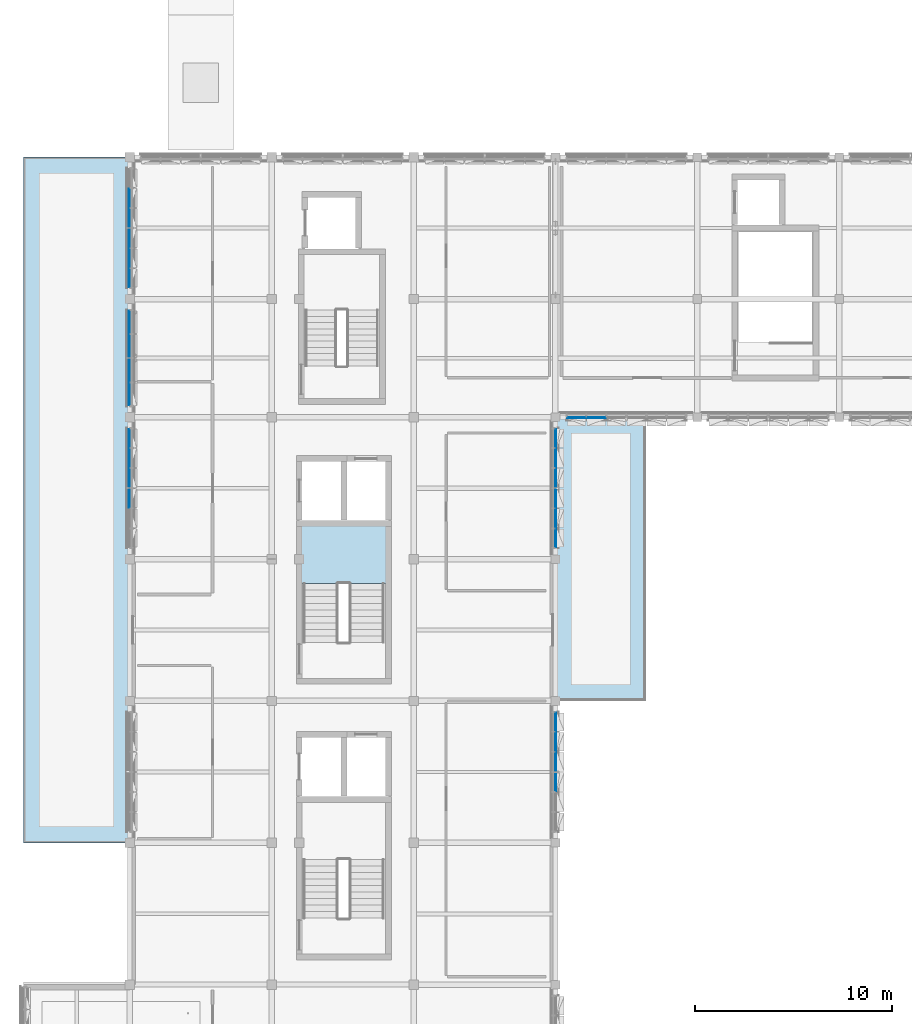
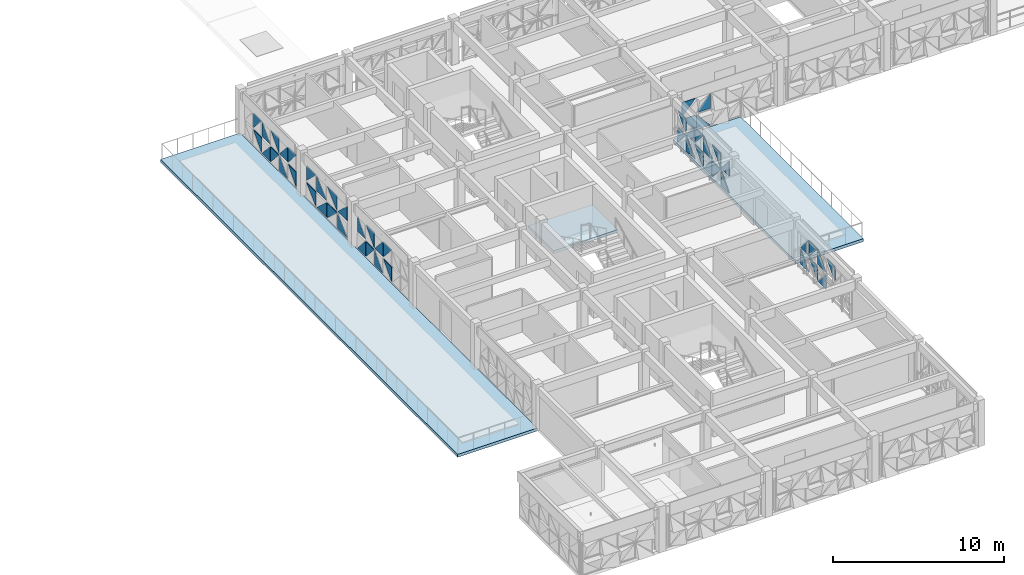
# One storey, part 14 of 35: 49 plates, 3 slabs, 7 elements without a shape of their own.
"""IFC4 building model written with IfcOpenShell, lengths in metres."""

from ifc_helpers import new_model, si_unit, direction, frame, origin, place, context, subcontext, project, spatial, polyline, outline, extrude, material, layer, layer_set, type_object, element, aggregate, save


model = new_model("IFC4")

# Units and contexts
model_context = context("Model", 3, precision=1e-05, world=origin(), true_north=direction((0.0, 1.0)))
body_context = subcontext(model_context, "Body", "Model", "MODEL_VIEW")
ifc_project = project(units=[si_unit("LENGTHUNIT", "METRE"), si_unit("AREAUNIT", "SQUARE_METRE"), si_unit("VOLUMEUNIT", "CUBIC_METRE"), si_unit("PLANEANGLEUNIT", "RADIAN"), si_unit("MASSUNIT", "GRAM", prefix="KILO")], contexts=[model_context])

# Site, building, storey
site_placement = place(None, origin())
site = spatial("IfcSite", under=ifc_project, at=site_placement, CompositionType="ELEMENT")
building_placement = place(site_placement, origin())
building = spatial("IfcBuilding", under=site, at=building_placement, Name="Alvorim Cloister Faculty of Sciences", CompositionType="ELEMENT")
storey_placement = place(building_placement, frame((0.0, 0.0, 22.949951171875)))
storey = spatial("IfcBuildingStorey", under=building, at=storey_placement, Name="L06", CompositionType="ELEMENT", Elevation=22.949951171875)

# Curtain wall, plates
ifc_material_1 = material(Name="Aluminium and Low-E Glass Curtain Wall", Category="aluminium")
curtain_wall_type_1 = type_object("IfcCurtainWallType", Name="CW-TRI-6120x2550", PredefinedType="USERDEFINED", material=ifc_material_1)
curtain_wall_1_placement = place(storey_placement, origin())
curtain_wall_1 = element("IfcCurtainWall", 1, at=curtain_wall_1_placement, inside=storey, type_object=curtain_wall_type_1, Name="L06 Diagonal Cassette Curtain Wall CW-0242", ObjectType="UNITISED CURTAIN WALL", PredefinedType="USERDEFINED")
ifc_material_2 = material(Name="Double Low-E Laminated Glass", Category="glass")
ifc_layer_1 = layer(ifc_material_2, 0.0400390625)
ifc_layer_set_1 = layer_set([ifc_layer_1], Name="Double Low-E Laminated Glass")
plate_type = type_object("IfcPlateType", Name="PN-GLZ-40", PredefinedType="CURTAIN_PANEL", material=ifc_layer_set_1)
plate_1_placement = place(storey_placement, frame((7.175048828125, 38.612548828125, 0.14013671875), z_axis=(0.0, 0.0, 1.0), x_axis=(0.0, 1.0, 0.0)))
plate_1 = element("IfcPlate", 2, at=plate_1_placement, type_object=plate_type, Name="Diagonal Glazed Triangle TRI-TL", PredefinedType="CURTAIN_PANEL", context=body_context, shape_type="SweptSolid", body=[
    extrude(outline(polyline([(0.953125, 1.06494140625), (0.0, 1.06494140625), (0.0, 0.001953125), (0.953125, 1.06494140625)])), frame((0.0, 0.02490234375, 0.0), z_axis=(0.0, -1.0, 0.0), x_axis=(1.0, 0.0, 0.0)), (0.0, 0.0, 1.0), 0.050048828125),
])
plate_2_placement = place(storey_placement, frame((7.175048828125, 38.612548828125, 1.344970703125), z_axis=(0.0, 0.0, 1.0), x_axis=(0.0, 1.0, 0.0)))
plate_2 = element("IfcPlate", 3, at=plate_2_placement, type_object=plate_type, Name="Diagonal Glazed Triangle TRI-TR", PredefinedType="CURTAIN_PANEL", context=body_context, shape_type="SweptSolid", body=[
    extrude(outline(polyline([(0.955078125, 0.001953125), (0.955078125, 1.065185546875), (0.001953125, 1.065185546875), (0.955078125, 0.001953125)])), frame((0.0, 0.02490234375, 0.0), z_axis=(0.0, -1.0, 0.0), x_axis=(1.0, 0.0, 0.0)), (0.0, 0.0, 1.0), 0.050048828125),
])
plate_3_placement = place(storey_placement, frame((7.175048828125, 39.632568359375, 0.14013671875), z_axis=(0.0, 0.0, 1.0), x_axis=(0.0, 1.0, 0.0)))
plate_3 = element("IfcPlate", 4, at=plate_3_placement, type_object=plate_type, Name="Diagonal Glazed Triangle TRI-BR", PredefinedType="CURTAIN_PANEL", context=body_context, shape_type="SweptSolid", body=[
    extrude(outline(polyline([(0.001953125, 0.0), (0.955078125, 0.0), (0.955078125, 1.06298828125), (0.001953125, 0.0)])), frame((0.0, 0.02490234375, 0.0), z_axis=(0.0, -1.0, 0.0), x_axis=(1.0, 0.0, 0.0)), (0.0, 0.0, 1.0), 0.050048828125),
])
plate_4_placement = place(storey_placement, frame((7.175048828125, 39.632568359375, 1.344970703125), z_axis=(0.0, 0.0, 1.0), x_axis=(0.0, 1.0, 0.0)))
plate_4 = element("IfcPlate", 5, at=plate_4_placement, type_object=plate_type, Name="Diagonal Glazed Triangle TRI-BL", PredefinedType="CURTAIN_PANEL", context=body_context, shape_type="SweptSolid", body=[
    extrude(outline(polyline([(0.0, 0.0), (0.953125, 0.0), (0.0, 1.063232421875), (0.0, 0.0)])), frame((0.0, 0.02490234375, 0.0), z_axis=(0.0, -1.0, 0.0), x_axis=(1.0, 0.0, 0.0)), (0.0, 0.0, 1.0), 0.050048828125),
])
plate_5_placement = place(storey_placement, frame((7.175048828125, 40.652587890625, 0.14013671875), z_axis=(0.0, 0.0, 1.0), x_axis=(0.0, 1.0, 0.0)))
plate_5 = element("IfcPlate", 6, at=plate_5_placement, type_object=plate_type, Name="Diagonal Glazed Triangle TRI-TR", PredefinedType="CURTAIN_PANEL", context=body_context, shape_type="SweptSolid", body=[
    extrude(outline(polyline([(0.955078125, 0.001953125), (0.955078125, 1.06494140625), (0.001953125, 1.06494140625), (0.955078125, 0.001953125)])), frame((0.0, 0.02490234375, 0.0), z_axis=(0.0, -1.0, 0.0), x_axis=(1.0, 0.0, 0.0)), (0.0, 0.0, 1.0), 0.050048828125),
])
plate_6_placement = place(storey_placement, frame((7.175048828125, 40.652587890625, 1.344970703125), z_axis=(0.0, 0.0, 1.0), x_axis=(0.0, 1.0, 0.0)))
plate_6 = element("IfcPlate", 7, at=plate_6_placement, type_object=plate_type, Name="Diagonal Glazed Triangle TRI-TL", PredefinedType="CURTAIN_PANEL", context=body_context, shape_type="SweptSolid", body=[
    extrude(outline(polyline([(0.953125, 1.065185546875), (0.0, 1.065185546875), (0.0, 0.001953125), (0.953125, 1.065185546875)])), frame((0.0, 0.02490234375, 0.0), z_axis=(0.0, -1.0, 0.0), x_axis=(1.0, 0.0, 0.0)), (0.0, 0.0, 1.0), 0.050048828125),
])
plate_7_placement = place(storey_placement, frame((7.175048828125, 41.672607421875, 0.14013671875), z_axis=(0.0, 0.0, 1.0), x_axis=(0.0, 1.0, 0.0)))
plate_7 = element("IfcPlate", 8, at=plate_7_placement, type_object=plate_type, Name="Diagonal Glazed Triangle TRI-BL", PredefinedType="CURTAIN_PANEL", context=body_context, shape_type="SweptSolid", body=[
    extrude(outline(polyline([(0.0, 0.0), (0.920654296875, 0.0), (0.0, 1.06298828125), (0.0, 0.0)])), frame((0.0, 0.02490234375, 0.0), z_axis=(0.0, -1.0, 0.0), x_axis=(1.0, 0.0, 0.0)), (0.0, 0.0, 1.0), 0.050048828125),
])
plate_8_placement = place(storey_placement, frame((7.175048828125, 41.672607421875, 1.344970703125), z_axis=(0.0, 0.0, 1.0), x_axis=(0.0, 1.0, 0.0)))
plate_8 = element("IfcPlate", 9, at=plate_8_placement, type_object=plate_type, Name="Diagonal Glazed Triangle TRI-BR", PredefinedType="CURTAIN_PANEL", context=body_context, shape_type="SweptSolid", body=[
    extrude(outline(polyline([(0.001953125, 0.0), (0.922607421875, 0.0), (0.922607421875, 1.063232421875), (0.001953125, 0.0)])), frame((0.0, 0.02490234375, 0.0), z_axis=(0.0, -1.0, 0.0), x_axis=(1.0, 0.0, 0.0)), (0.0, 0.0, 1.0), 0.050048828125),
])
aggregate(curtain_wall_1, [plate_1, plate_2, plate_3, plate_4, plate_5, plate_6, plate_7, plate_8])

curtain_wall_type_2 = type_object("IfcCurtainWallType", Name="CW-TRI-4920x2550", PredefinedType="USERDEFINED", material=ifc_material_1)
curtain_wall_2_placement = place(storey_placement, origin())
curtain_wall_2 = element("IfcCurtainWall", 10, at=curtain_wall_2_placement, inside=storey, type_object=curtain_wall_type_2, Name="L06 Diagonal Cassette Curtain Wall CW-0243", ObjectType="UNITISED CURTAIN WALL", PredefinedType="USERDEFINED")
plate_9_placement = place(storey_placement, frame((7.175048828125, 43.804931640625, 0.14013671875), z_axis=(0.0, 0.0, 1.0), x_axis=(0.0, 1.0, 0.0)))
plate_9 = element("IfcPlate", 11, at=plate_9_placement, type_object=plate_type, Name="Diagonal Glazed Triangle TRI-BR", PredefinedType="CURTAIN_PANEL", context=body_context, shape_type="SweptSolid", body=[
    extrude(outline(polyline([(0.001953125, 0.0), (1.132568359375, 0.0), (1.132568359375, 1.06298828125), (0.001953125, 0.0)])), frame((0.0, 0.02490234375, 0.0), z_axis=(0.0, -1.0, 0.0), x_axis=(1.0, 0.0, 0.0)), (0.0, 0.0, 1.0), 0.050048828125),
])
plate_10_placement = place(storey_placement, frame((7.175048828125, 43.804931640625, 1.344970703125), z_axis=(0.0, 0.0, 1.0), x_axis=(0.0, 1.0, 0.0)))
plate_10 = element("IfcPlate", 12, at=plate_10_placement, type_object=plate_type, Name="Diagonal Glazed Triangle TRI-BL", PredefinedType="CURTAIN_PANEL", context=body_context, shape_type="SweptSolid", body=[
    extrude(outline(polyline([(0.0, 0.0), (1.130615234375, 0.0), (0.0, 1.063232421875), (0.0, 0.0)])), frame((0.0, 0.02490234375, 0.0), z_axis=(0.0, -1.0, 0.0), x_axis=(1.0, 0.0, 0.0)), (0.0, 0.0, 1.0), 0.050048828125),
])
plate_11_placement = place(storey_placement, frame((7.175048828125, 45.00244140625, 0.14013671875), z_axis=(0.0, 0.0, 1.0), x_axis=(0.0, 1.0, 0.0)))
plate_11 = element("IfcPlate", 13, at=plate_11_placement, type_object=plate_type, Name="Diagonal Glazed Triangle TRI-TR", PredefinedType="CURTAIN_PANEL", context=body_context, shape_type="SweptSolid", body=[
    extrude(outline(polyline([(1.1650390625, 0.001953125), (1.1650390625, 1.06494140625), (0.001953125, 1.06494140625), (1.1650390625, 0.001953125)])), frame((0.0, 0.02490234375, 0.0), z_axis=(0.0, -1.0, 0.0), x_axis=(1.0, 0.0, 0.0)), (0.0, 0.0, 1.0), 0.050048828125),
])
plate_12_placement = place(storey_placement, frame((7.175048828125, 45.00244140625, 1.344970703125), z_axis=(0.0, 0.0, 1.0), x_axis=(0.0, 1.0, 0.0)))
plate_12 = element("IfcPlate", 14, at=plate_12_placement, type_object=plate_type, Name="Diagonal Glazed Triangle TRI-TL", PredefinedType="CURTAIN_PANEL", context=body_context, shape_type="SweptSolid", body=[
    extrude(outline(polyline([(1.1630859375, 1.065185546875), (0.0, 1.065185546875), (0.0, 0.001953125), (1.1630859375, 1.065185546875)])), frame((0.0, 0.02490234375, 0.0), z_axis=(0.0, -1.0, 0.0), x_axis=(1.0, 0.0, 0.0)), (0.0, 0.0, 1.0), 0.050048828125),
])
plate_13_placement = place(storey_placement, frame((7.175048828125, 46.232421875, 0.14013671875), z_axis=(0.0, 0.0, 1.0), x_axis=(0.0, 1.0, 0.0)))
plate_13 = element("IfcPlate", 15, at=plate_13_placement, type_object=plate_type, Name="Diagonal Glazed Triangle TRI-BL", PredefinedType="CURTAIN_PANEL", context=body_context, shape_type="SweptSolid", body=[
    extrude(outline(polyline([(0.0, 0.0), (1.1630859375, 0.0), (0.0, 1.06298828125), (0.0, 0.0)])), frame((0.0, 0.02490234375, 0.0), z_axis=(0.0, -1.0, 0.0), x_axis=(1.0, 0.0, 0.0)), (0.0, 0.0, 1.0), 0.050048828125),
])
plate_14_placement = place(storey_placement, frame((7.175048828125, 46.232421875, 1.344970703125), z_axis=(0.0, 0.0, 1.0), x_axis=(0.0, 1.0, 0.0)))
plate_14 = element("IfcPlate", 16, at=plate_14_placement, type_object=plate_type, Name="Diagonal Glazed Triangle TRI-BR", PredefinedType="CURTAIN_PANEL", context=body_context, shape_type="SweptSolid", body=[
    extrude(outline(polyline([(0.001953125, 0.0), (1.1650390625, 0.0), (1.1650390625, 1.063232421875), (0.001953125, 0.0)])), frame((0.0, 0.02490234375, 0.0), z_axis=(0.0, -1.0, 0.0), x_axis=(1.0, 0.0, 0.0)), (0.0, 0.0, 1.0), 0.050048828125),
])
plate_15_placement = place(storey_placement, frame((7.175048828125, 47.46240234375, 0.14013671875), z_axis=(0.0, 0.0, 1.0), x_axis=(0.0, 1.0, 0.0)))
plate_15 = element("IfcPlate", 17, at=plate_15_placement, type_object=plate_type, Name="Diagonal Glazed Triangle TRI-TL", PredefinedType="CURTAIN_PANEL", context=body_context, shape_type="SweptSolid", body=[
    extrude(outline(polyline([(1.130615234375, 1.06494140625), (0.0, 1.06494140625), (0.0, 0.001953125), (1.130615234375, 1.06494140625)])), frame((0.0, 0.02490234375, 0.0), z_axis=(0.0, -1.0, 0.0), x_axis=(1.0, 0.0, 0.0)), (0.0, 0.0, 1.0), 0.050048828125),
])
plate_16_placement = place(storey_placement, frame((7.175048828125, 47.46240234375, 1.344970703125), z_axis=(0.0, 0.0, 1.0), x_axis=(0.0, 1.0, 0.0)))
plate_16 = element("IfcPlate", 18, at=plate_16_placement, type_object=plate_type, Name="Diagonal Glazed Triangle TRI-TR", PredefinedType="CURTAIN_PANEL", context=body_context, shape_type="SweptSolid", body=[
    extrude(outline(polyline([(1.132568359375, 0.001953125), (1.132568359375, 1.065185546875), (0.001953125, 1.065185546875), (1.132568359375, 0.001953125)])), frame((0.0, 0.02490234375, 0.0), z_axis=(0.0, -1.0, 0.0), x_axis=(1.0, 0.0, 0.0)), (0.0, 0.0, 1.0), 0.050048828125),
])
aggregate(curtain_wall_2, [plate_9, plate_10, plate_11, plate_12, plate_13, plate_14, plate_15, plate_16])

curtain_wall_3_placement = place(storey_placement, origin())
curtain_wall_3 = element("IfcCurtainWall", 19, at=curtain_wall_3_placement, inside=storey, type_object=curtain_wall_type_1, Name="L06 Diagonal Cassette Curtain Wall CW-0244", ObjectType="UNITISED CURTAIN WALL", PredefinedType="USERDEFINED")
plate_17_placement = place(storey_placement, frame((7.175048828125, 49.804931640625, 0.14013671875), z_axis=(0.0, 0.0, 1.0), x_axis=(0.0, 1.0, 0.0)))
plate_17 = element("IfcPlate", 20, at=plate_17_placement, type_object=plate_type, Name="Diagonal Glazed Triangle TRI-TL", PredefinedType="CURTAIN_PANEL", context=body_context, shape_type="SweptSolid", body=[
    extrude(outline(polyline([(0.920654296875, 1.06494140625), (0.0, 1.06494140625), (0.0, 0.001953125), (0.920654296875, 1.06494140625)])), frame((0.0, 0.02490234375, 0.0), z_axis=(0.0, -1.0, 0.0), x_axis=(1.0, 0.0, 0.0)), (0.0, 0.0, 1.0), 0.050048828125),
])
plate_18_placement = place(storey_placement, frame((7.175048828125, 49.804931640625, 1.344970703125), z_axis=(0.0, 0.0, 1.0), x_axis=(0.0, 1.0, 0.0)))
plate_18 = element("IfcPlate", 21, at=plate_18_placement, type_object=plate_type, Name="Diagonal Glazed Triangle TRI-TR", PredefinedType="CURTAIN_PANEL", context=body_context, shape_type="SweptSolid", body=[
    extrude(outline(polyline([(0.922607421875, 0.001953125), (0.922607421875, 1.065185546875), (0.001953125, 1.065185546875), (0.922607421875, 0.001953125)])), frame((0.0, 0.02490234375, 0.0), z_axis=(0.0, -1.0, 0.0), x_axis=(1.0, 0.0, 0.0)), (0.0, 0.0, 1.0), 0.050048828125),
])
plate_19_placement = place(storey_placement, frame((7.175048828125, 50.79248046875, 0.14013671875), z_axis=(0.0, 0.0, 1.0), x_axis=(0.0, 1.0, 0.0)))
plate_19 = element("IfcPlate", 22, at=plate_19_placement, type_object=plate_type, Name="Diagonal Glazed Triangle TRI-BR", PredefinedType="CURTAIN_PANEL", context=body_context, shape_type="SweptSolid", body=[
    extrude(outline(polyline([(0.001953125, 0.0), (0.955078125, 0.0), (0.955078125, 1.06298828125), (0.001953125, 0.0)])), frame((0.0, 0.02490234375, 0.0), z_axis=(0.0, -1.0, 0.0), x_axis=(1.0, 0.0, 0.0)), (0.0, 0.0, 1.0), 0.050048828125),
])
plate_20_placement = place(storey_placement, frame((7.175048828125, 50.79248046875, 1.344970703125), z_axis=(0.0, 0.0, 1.0), x_axis=(0.0, 1.0, 0.0)))
plate_20 = element("IfcPlate", 23, at=plate_20_placement, type_object=plate_type, Name="Diagonal Glazed Triangle TRI-BL", PredefinedType="CURTAIN_PANEL", context=body_context, shape_type="SweptSolid", body=[
    extrude(outline(polyline([(0.0, 0.0), (0.953125, 0.0), (0.0, 1.063232421875), (0.0, 0.0)])), frame((0.0, 0.02490234375, 0.0), z_axis=(0.0, -1.0, 0.0), x_axis=(1.0, 0.0, 0.0)), (0.0, 0.0, 1.0), 0.050048828125),
])
plate_21_placement = place(storey_placement, frame((7.175048828125, 51.8125, 0.14013671875), z_axis=(0.0, 0.0, 1.0), x_axis=(0.0, 1.0, 0.0)))
plate_21 = element("IfcPlate", 24, at=plate_21_placement, type_object=plate_type, Name="Diagonal Glazed Triangle TRI-TR", PredefinedType="CURTAIN_PANEL", context=body_context, shape_type="SweptSolid", body=[
    extrude(outline(polyline([(0.955078125, 0.001953125), (0.955078125, 1.06494140625), (0.001953125, 1.06494140625), (0.955078125, 0.001953125)])), frame((0.0, 0.02490234375, 0.0), z_axis=(0.0, -1.0, 0.0), x_axis=(1.0, 0.0, 0.0)), (0.0, 0.0, 1.0), 0.050048828125),
])
plate_22_placement = place(storey_placement, frame((7.175048828125, 51.8125, 1.344970703125), z_axis=(0.0, 0.0, 1.0), x_axis=(0.0, 1.0, 0.0)))
plate_22 = element("IfcPlate", 25, at=plate_22_placement, type_object=plate_type, Name="Diagonal Glazed Triangle TRI-TL", PredefinedType="CURTAIN_PANEL", context=body_context, shape_type="SweptSolid", body=[
    extrude(outline(polyline([(0.953125, 1.065185546875), (0.0, 1.065185546875), (0.0, 0.001953125), (0.953125, 1.065185546875)])), frame((0.0, 0.02490234375, 0.0), z_axis=(0.0, -1.0, 0.0), x_axis=(1.0, 0.0, 0.0)), (0.0, 0.0, 1.0), 0.050048828125),
])
plate_23_placement = place(storey_placement, frame((7.175048828125, 52.83251953125, 0.14013671875), z_axis=(0.0, 0.0, 1.0), x_axis=(0.0, 1.0, 0.0)))
plate_23 = element("IfcPlate", 26, at=plate_23_placement, type_object=plate_type, Name="Diagonal Glazed Triangle TRI-BL", PredefinedType="CURTAIN_PANEL", context=body_context, shape_type="SweptSolid", body=[
    extrude(outline(polyline([(0.0, 0.0), (0.953125, 0.0), (0.0, 1.06298828125), (0.0, 0.0)])), frame((0.0, 0.02490234375, 0.0), z_axis=(0.0, -1.0, 0.0), x_axis=(1.0, 0.0, 0.0)), (0.0, 0.0, 1.0), 0.050048828125),
])
plate_24_placement = place(storey_placement, frame((7.175048828125, 52.83251953125, 1.344970703125), z_axis=(0.0, 0.0, 1.0), x_axis=(0.0, 1.0, 0.0)))
plate_24 = element("IfcPlate", 27, at=plate_24_placement, type_object=plate_type, Name="Diagonal Glazed Triangle TRI-BR", PredefinedType="CURTAIN_PANEL", context=body_context, shape_type="SweptSolid", body=[
    extrude(outline(polyline([(0.001953125, 0.0), (0.955078125, 0.0), (0.955078125, 1.063232421875), (0.001953125, 0.0)])), frame((0.0, 0.02490234375, 0.0), z_axis=(0.0, -1.0, 0.0), x_axis=(1.0, 0.0, 0.0)), (0.0, 0.0, 1.0), 0.050048828125),
])
plate_25_placement = place(storey_placement, frame((7.175048828125, 53.8525390625, 0.14013671875), z_axis=(0.0, 0.0, 1.0), x_axis=(0.0, 1.0, 0.0)))
plate_25 = element("IfcPlate", 28, at=plate_25_placement, type_object=plate_type, Name="Diagonal Glazed Triangle TRI-TL", PredefinedType="CURTAIN_PANEL", context=body_context, shape_type="SweptSolid", body=[
    extrude(outline(polyline([(0.953125, 1.06494140625), (0.0, 1.06494140625), (0.0, 0.001953125), (0.953125, 1.06494140625)])), frame((0.0, 0.02490234375, 0.0), z_axis=(0.0, -1.0, 0.0), x_axis=(1.0, 0.0, 0.0)), (0.0, 0.0, 1.0), 0.050048828125),
])
plate_26_placement = place(storey_placement, frame((7.175048828125, 53.8525390625, 1.344970703125), z_axis=(0.0, 0.0, 1.0), x_axis=(0.0, 1.0, 0.0)))
plate_26 = element("IfcPlate", 29, at=plate_26_placement, type_object=plate_type, Name="Diagonal Glazed Triangle TRI-TR", PredefinedType="CURTAIN_PANEL", context=body_context, shape_type="SweptSolid", body=[
    extrude(outline(polyline([(0.955078125, 0.001953125), (0.955078125, 1.065185546875), (0.001953125, 1.065185546875), (0.955078125, 0.001953125)])), frame((0.0, 0.02490234375, 0.0), z_axis=(0.0, -1.0, 0.0), x_axis=(1.0, 0.0, 0.0)), (0.0, 0.0, 1.0), 0.050048828125),
])
aggregate(curtain_wall_3, [plate_17, plate_18, plate_19, plate_20, plate_21, plate_22, plate_23, plate_24, plate_25, plate_26])

curtain_wall_4_placement = place(storey_placement, origin())
curtain_wall_4 = element("IfcCurtainWall", 30, at=curtain_wall_4_placement, inside=storey, type_object=curtain_wall_type_1, Name="L06 Diagonal Cassette Curtain Wall CW-0254", ObjectType="UNITISED CURTAIN WALL", PredefinedType="USERDEFINED")
plate_27_placement = place(storey_placement, frame((29.405029296875, 43.175048828125, 0.14013671875), z_axis=(0.0, 0.0, 1.0), x_axis=(1.0, 0.0, 0.0)))
plate_27 = element("IfcPlate", 31, at=plate_27_placement, type_object=plate_type, Name="Diagonal Glazed Triangle TRI-TR", PredefinedType="CURTAIN_PANEL", context=body_context, shape_type="SweptSolid", body=[
    extrude(outline(polyline([(0.922607421875, 0.001953125), (0.922607421875, 1.06494140625), (0.001953125, 1.06494140625), (0.922607421875, 0.001953125)])), frame((0.0, 0.02490234375, 0.0), z_axis=(0.0, -1.0, 0.0), x_axis=(1.0, 0.0, 0.0)), (0.0, 0.0, 1.0), 0.050048828125),
])
plate_28_placement = place(storey_placement, frame((29.405029296875, 43.175048828125, 1.344970703125), z_axis=(0.0, 0.0, 1.0), x_axis=(1.0, 0.0, 0.0)))
plate_28 = element("IfcPlate", 32, at=plate_28_placement, type_object=plate_type, Name="Diagonal Glazed Triangle TRI-TL", PredefinedType="CURTAIN_PANEL", context=body_context, shape_type="SweptSolid", body=[
    extrude(outline(polyline([(0.920654296875, 1.065185546875), (0.0, 1.065185546875), (0.0, 0.001953125), (0.920654296875, 1.065185546875)])), frame((0.0, 0.02490234375, 0.0), z_axis=(0.0, -1.0, 0.0), x_axis=(1.0, 0.0, 0.0)), (0.0, 0.0, 1.0), 0.050048828125),
])
plate_29_placement = place(storey_placement, frame((30.392578125, 43.175048828125, 0.14013671875), z_axis=(0.0, 0.0, 1.0), x_axis=(1.0, 0.0, 0.0)))
plate_29 = element("IfcPlate", 33, at=plate_29_placement, type_object=plate_type, Name="Diagonal Glazed Triangle TRI-BL", PredefinedType="CURTAIN_PANEL", context=body_context, shape_type="SweptSolid", body=[
    extrude(outline(polyline([(0.0, 0.0), (0.953125, 0.0), (0.0, 1.06298828125), (0.0, 0.0)])), frame((0.0, 0.02490234375, 0.0), z_axis=(0.0, -1.0, 0.0), x_axis=(1.0, 0.0, 0.0)), (0.0, 0.0, 1.0), 0.050048828125),
])
plate_30_placement = place(storey_placement, frame((30.392578125, 43.175048828125, 1.344970703125), z_axis=(0.0, 0.0, 1.0), x_axis=(1.0, 0.0, 0.0)))
plate_30 = element("IfcPlate", 34, at=plate_30_placement, type_object=plate_type, Name="Diagonal Glazed Triangle TRI-BR", PredefinedType="CURTAIN_PANEL", context=body_context, shape_type="SweptSolid", body=[
    extrude(outline(polyline([(0.001953125, 0.0), (0.955078125, 0.0), (0.955078125, 1.063232421875), (0.001953125, 0.0)])), frame((0.0, 0.02490234375, 0.0), z_axis=(0.0, -1.0, 0.0), x_axis=(1.0, 0.0, 0.0)), (0.0, 0.0, 1.0), 0.050048828125),
])
aggregate(curtain_wall_4, [plate_27, plate_28, plate_29, plate_30])

curtain_wall_5_placement = place(storey_placement, origin())
curtain_wall_5 = element("IfcCurtainWall", 35, at=curtain_wall_5_placement, inside=storey, type_object=curtain_wall_type_1, Name="L06 Diagonal Cassette Curtain Wall CW-0255", ObjectType="UNITISED CURTAIN WALL", PredefinedType="USERDEFINED")
plate_31_placement = place(storey_placement, frame((28.824951171875, 36.60498046875, 0.14013671875), z_axis=(0.0, 0.0, 1.0), x_axis=(0.0, 1.0, 0.0)))
plate_31 = element("IfcPlate", 36, at=plate_31_placement, type_object=plate_type, Name="Diagonal Glazed Triangle TRI-BR", PredefinedType="CURTAIN_PANEL", context=body_context, shape_type="SweptSolid", body=[
    extrude(outline(polyline([(0.001953125, 0.0), (0.922607421875, 0.0), (0.922607421875, 1.06298828125), (0.001953125, 0.0)])), frame((0.0, 0.02490234375, 0.0), z_axis=(0.0, -1.0, 0.0), x_axis=(1.0, 0.0, 0.0)), (0.0, 0.0, 1.0), 0.050048828125),
])
plate_32_placement = place(storey_placement, frame((28.824951171875, 36.60498046875, 1.344970703125), z_axis=(0.0, 0.0, 1.0), x_axis=(0.0, 1.0, 0.0)))
plate_32 = element("IfcPlate", 37, at=plate_32_placement, type_object=plate_type, Name="Diagonal Glazed Triangle TRI-BL", PredefinedType="CURTAIN_PANEL", context=body_context, shape_type="SweptSolid", body=[
    extrude(outline(polyline([(0.0, 0.0), (0.920654296875, 0.0), (0.0, 1.063232421875), (0.0, 0.0)])), frame((0.0, 0.02490234375, 0.0), z_axis=(0.0, -1.0, 0.0), x_axis=(1.0, 0.0, 0.0)), (0.0, 0.0, 1.0), 0.050048828125),
])
plate_33_placement = place(storey_placement, frame((28.824951171875, 37.592529296875, 0.14013671875), z_axis=(0.0, 0.0, 1.0), x_axis=(0.0, 1.0, 0.0)))
plate_33 = element("IfcPlate", 38, at=plate_33_placement, type_object=plate_type, Name="Diagonal Glazed Triangle TRI-TR", PredefinedType="CURTAIN_PANEL", context=body_context, shape_type="SweptSolid", body=[
    extrude(outline(polyline([(0.955078125, 0.001953125), (0.955078125, 1.06494140625), (0.001953125, 1.06494140625), (0.955078125, 0.001953125)])), frame((0.0, 0.02490234375, 0.0), z_axis=(0.0, -1.0, 0.0), x_axis=(1.0, 0.0, 0.0)), (0.0, 0.0, 1.0), 0.050048828125),
])
plate_34_placement = place(storey_placement, frame((28.824951171875, 37.592529296875, 1.344970703125), z_axis=(0.0, 0.0, 1.0), x_axis=(0.0, 1.0, 0.0)))
plate_34 = element("IfcPlate", 39, at=plate_34_placement, type_object=plate_type, Name="Diagonal Glazed Triangle TRI-TL", PredefinedType="CURTAIN_PANEL", context=body_context, shape_type="SweptSolid", body=[
    extrude(outline(polyline([(0.953125, 1.065185546875), (0.0, 1.065185546875), (0.0, 0.001953125), (0.953125, 1.065185546875)])), frame((0.0, 0.02490234375, 0.0), z_axis=(0.0, -1.0, 0.0), x_axis=(1.0, 0.0, 0.0)), (0.0, 0.0, 1.0), 0.050048828125),
])
plate_35_placement = place(storey_placement, frame((28.824951171875, 38.612548828125, 0.14013671875), z_axis=(0.0, 0.0, 1.0), x_axis=(0.0, 1.0, 0.0)))
plate_35 = element("IfcPlate", 40, at=plate_35_placement, type_object=plate_type, Name="Diagonal Glazed Triangle TRI-BL", PredefinedType="CURTAIN_PANEL", context=body_context, shape_type="SweptSolid", body=[
    extrude(outline(polyline([(0.0, 0.0), (0.953125, 0.0), (0.0, 1.06298828125), (0.0, 0.0)])), frame((0.0, 0.02490234375, 0.0), z_axis=(0.0, -1.0, 0.0), x_axis=(1.0, 0.0, 0.0)), (0.0, 0.0, 1.0), 0.050048828125),
])
plate_36_placement = place(storey_placement, frame((28.824951171875, 38.612548828125, 1.344970703125), z_axis=(0.0, 0.0, 1.0), x_axis=(0.0, 1.0, 0.0)))
plate_36 = element("IfcPlate", 41, at=plate_36_placement, type_object=plate_type, Name="Diagonal Glazed Triangle TRI-BR", PredefinedType="CURTAIN_PANEL", context=body_context, shape_type="SweptSolid", body=[
    extrude(outline(polyline([(0.001953125, 0.0), (0.955078125, 0.0), (0.955078125, 1.063232421875), (0.001953125, 0.0)])), frame((0.0, 0.02490234375, 0.0), z_axis=(0.0, -1.0, 0.0), x_axis=(1.0, 0.0, 0.0)), (0.0, 0.0, 1.0), 0.050048828125),
])
plate_37_placement = place(storey_placement, frame((28.824951171875, 39.632568359375, 0.14013671875), z_axis=(0.0, 0.0, 1.0), x_axis=(0.0, 1.0, 0.0)))
plate_37 = element("IfcPlate", 42, at=plate_37_placement, type_object=plate_type, Name="Diagonal Glazed Triangle TRI-TL", PredefinedType="CURTAIN_PANEL", context=body_context, shape_type="SweptSolid", body=[
    extrude(outline(polyline([(0.953125, 1.06494140625), (0.0, 1.06494140625), (0.0, 0.001953125), (0.953125, 1.06494140625)])), frame((0.0, 0.02490234375, 0.0), z_axis=(0.0, -1.0, 0.0), x_axis=(1.0, 0.0, 0.0)), (0.0, 0.0, 1.0), 0.050048828125),
])
plate_38_placement = place(storey_placement, frame((28.824951171875, 39.632568359375, 1.344970703125), z_axis=(0.0, 0.0, 1.0), x_axis=(0.0, 1.0, 0.0)))
plate_38 = element("IfcPlate", 43, at=plate_38_placement, type_object=plate_type, Name="Diagonal Glazed Triangle TRI-TR", PredefinedType="CURTAIN_PANEL", context=body_context, shape_type="SweptSolid", body=[
    extrude(outline(polyline([(0.955078125, 0.001953125), (0.955078125, 1.065185546875), (0.001953125, 1.065185546875), (0.955078125, 0.001953125)])), frame((0.0, 0.02490234375, 0.0), z_axis=(0.0, -1.0, 0.0), x_axis=(1.0, 0.0, 0.0)), (0.0, 0.0, 1.0), 0.050048828125),
])
plate_39_placement = place(storey_placement, frame((28.824951171875, 40.652587890625, 0.14013671875), z_axis=(0.0, 0.0, 1.0), x_axis=(0.0, 1.0, 0.0)))
plate_39 = element("IfcPlate", 44, at=plate_39_placement, type_object=plate_type, Name="Diagonal Glazed Triangle TRI-BR", PredefinedType="CURTAIN_PANEL", context=body_context, shape_type="SweptSolid", body=[
    extrude(outline(polyline([(0.001953125, 0.0), (0.955078125, 0.0), (0.955078125, 1.06298828125), (0.001953125, 0.0)])), frame((0.0, 0.02490234375, 0.0), z_axis=(0.0, -1.0, 0.0), x_axis=(1.0, 0.0, 0.0)), (0.0, 0.0, 1.0), 0.050048828125),
])
plate_40_placement = place(storey_placement, frame((28.824951171875, 40.652587890625, 1.344970703125), z_axis=(0.0, 0.0, 1.0), x_axis=(0.0, 1.0, 0.0)))
plate_40 = element("IfcPlate", 45, at=plate_40_placement, type_object=plate_type, Name="Diagonal Glazed Triangle TRI-BL", PredefinedType="CURTAIN_PANEL", context=body_context, shape_type="SweptSolid", body=[
    extrude(outline(polyline([(0.0, 0.0), (0.953125, 0.0), (0.0, 1.063232421875), (0.0, 0.0)])), frame((0.0, 0.02490234375, 0.0), z_axis=(0.0, -1.0, 0.0), x_axis=(1.0, 0.0, 0.0)), (0.0, 0.0, 1.0), 0.050048828125),
])
plate_41_placement = place(storey_placement, frame((28.824951171875, 41.672607421875, 0.14013671875), z_axis=(0.0, 0.0, 1.0), x_axis=(0.0, 1.0, 0.0)))
plate_41 = element("IfcPlate", 46, at=plate_41_placement, type_object=plate_type, Name="Diagonal Glazed Triangle TRI-TR", PredefinedType="CURTAIN_PANEL", context=body_context, shape_type="SweptSolid", body=[
    extrude(outline(polyline([(0.922607421875, 0.001953125), (0.922607421875, 1.06494140625), (0.001953125, 1.06494140625), (0.922607421875, 0.001953125)])), frame((0.0, 0.02490234375, 0.0), z_axis=(0.0, -1.0, 0.0), x_axis=(1.0, 0.0, 0.0)), (0.0, 0.0, 1.0), 0.050048828125),
])
plate_42_placement = place(storey_placement, frame((28.824951171875, 41.672607421875, 1.344970703125), z_axis=(0.0, 0.0, 1.0), x_axis=(0.0, 1.0, 0.0)))
plate_42 = element("IfcPlate", 47, at=plate_42_placement, type_object=plate_type, Name="Diagonal Glazed Triangle TRI-TL", PredefinedType="CURTAIN_PANEL", context=body_context, shape_type="SweptSolid", body=[
    extrude(outline(polyline([(0.920654296875, 1.065185546875), (0.0, 1.065185546875), (0.0, 0.001953125), (0.920654296875, 1.065185546875)])), frame((0.0, 0.02490234375, 0.0), z_axis=(0.0, -1.0, 0.0), x_axis=(1.0, 0.0, 0.0)), (0.0, 0.0, 1.0), 0.050048828125),
])
aggregate(curtain_wall_5, [plate_31, plate_32, plate_33, plate_34, plate_35, plate_36, plate_37, plate_38, plate_39, plate_40, plate_41, plate_42])

curtain_wall_6_placement = place(storey_placement, origin())
curtain_wall_6 = element("IfcCurtainWall", 48, at=curtain_wall_6_placement, inside=storey, type_object=curtain_wall_type_1, Name="L06 Diagonal Cassette Curtain Wall CW-0256", ObjectType="UNITISED CURTAIN WALL", PredefinedType="USERDEFINED")
plate_43_placement = place(storey_placement, frame((28.824951171875, 24.21240234375, 1.344970703125), z_axis=(0.0, 0.0, 1.0), x_axis=(0.0, 1.0, 0.0)))
plate_43 = element("IfcPlate", 49, at=plate_43_placement, type_object=plate_type, Name="Diagonal Glazed Triangle TRI-TL", PredefinedType="CURTAIN_PANEL", context=body_context, shape_type="SweptSolid", body=[
    extrude(outline(polyline([(0.953125, 1.065185546875), (0.0, 1.065185546875), (0.0, 0.001953125), (0.953125, 1.065185546875)])), frame((0.0, 0.02490234375, 0.0), z_axis=(0.0, -1.0, 0.0), x_axis=(1.0, 0.0, 0.0)), (0.0, 0.0, 1.0), 0.050048828125),
])
plate_44_placement = place(storey_placement, frame((28.824951171875, 25.232421875, 0.14013671875), z_axis=(0.0, 0.0, 1.0), x_axis=(0.0, 1.0, 0.0)))
plate_44 = element("IfcPlate", 50, at=plate_44_placement, type_object=plate_type, Name="Diagonal Glazed Triangle TRI-BL", PredefinedType="CURTAIN_PANEL", context=body_context, shape_type="SweptSolid", body=[
    extrude(outline(polyline([(0.0, 0.0), (0.953125, 0.0), (0.0, 1.06298828125), (0.0, 0.0)])), frame((0.0, 0.02490234375, 0.0), z_axis=(0.0, -1.0, 0.0), x_axis=(1.0, 0.0, 0.0)), (0.0, 0.0, 1.0), 0.050048828125),
])
plate_45_placement = place(storey_placement, frame((28.824951171875, 25.232421875, 1.344970703125), z_axis=(0.0, 0.0, 1.0), x_axis=(0.0, 1.0, 0.0)))
plate_45 = element("IfcPlate", 51, at=plate_45_placement, type_object=plate_type, Name="Diagonal Glazed Triangle TRI-BR", PredefinedType="CURTAIN_PANEL", context=body_context, shape_type="SweptSolid", body=[
    extrude(outline(polyline([(0.001953125, 0.0), (0.955078125, 0.0), (0.955078125, 1.063232421875), (0.001953125, 0.0)])), frame((0.0, 0.02490234375, 0.0), z_axis=(0.0, -1.0, 0.0), x_axis=(1.0, 0.0, 0.0)), (0.0, 0.0, 1.0), 0.050048828125),
])
plate_46_placement = place(storey_placement, frame((28.824951171875, 26.25244140625, 0.14013671875), z_axis=(0.0, 0.0, 1.0), x_axis=(0.0, 1.0, 0.0)))
plate_46 = element("IfcPlate", 52, at=plate_46_placement, type_object=plate_type, Name="Diagonal Glazed Triangle TRI-TL", PredefinedType="CURTAIN_PANEL", context=body_context, shape_type="SweptSolid", body=[
    extrude(outline(polyline([(0.953125, 1.06494140625), (0.0, 1.06494140625), (0.0, 0.001953125), (0.953125, 1.06494140625)])), frame((0.0, 0.02490234375, 0.0), z_axis=(0.0, -1.0, 0.0), x_axis=(1.0, 0.0, 0.0)), (0.0, 0.0, 1.0), 0.050048828125),
])
plate_47_placement = place(storey_placement, frame((28.824951171875, 26.25244140625, 1.344970703125), z_axis=(0.0, 0.0, 1.0), x_axis=(0.0, 1.0, 0.0)))
plate_47 = element("IfcPlate", 53, at=plate_47_placement, type_object=plate_type, Name="Diagonal Glazed Triangle TRI-TR", PredefinedType="CURTAIN_PANEL", context=body_context, shape_type="SweptSolid", body=[
    extrude(outline(polyline([(0.955078125, 0.001953125), (0.955078125, 1.065185546875), (0.001953125, 1.065185546875), (0.955078125, 0.001953125)])), frame((0.0, 0.02490234375, 0.0), z_axis=(0.0, -1.0, 0.0), x_axis=(1.0, 0.0, 0.0)), (0.0, 0.0, 1.0), 0.050048828125),
])
plate_48_placement = place(storey_placement, frame((28.824951171875, 27.2724609375, 0.14013671875), z_axis=(0.0, 0.0, 1.0), x_axis=(0.0, 1.0, 0.0)))
plate_48 = element("IfcPlate", 54, at=plate_48_placement, type_object=plate_type, Name="Diagonal Glazed Triangle TRI-BR", PredefinedType="CURTAIN_PANEL", context=body_context, shape_type="SweptSolid", body=[
    extrude(outline(polyline([(0.001953125, 0.0), (0.922607421875, 0.0), (0.922607421875, 1.06298828125), (0.001953125, 0.0)])), frame((0.0, 0.02490234375, 0.0), z_axis=(0.0, -1.0, 0.0), x_axis=(1.0, 0.0, 0.0)), (0.0, 0.0, 1.0), 0.050048828125),
])
plate_49_placement = place(storey_placement, frame((28.824951171875, 27.2724609375, 1.344970703125), z_axis=(0.0, 0.0, 1.0), x_axis=(0.0, 1.0, 0.0)))
plate_49 = element("IfcPlate", 55, at=plate_49_placement, type_object=plate_type, Name="Diagonal Glazed Triangle TRI-BL", PredefinedType="CURTAIN_PANEL", context=body_context, shape_type="SweptSolid", body=[
    extrude(outline(polyline([(0.0, 0.0), (0.920654296875, 0.0), (0.0, 1.063232421875), (0.0, 0.0)])), frame((0.0, 0.02490234375, 0.0), z_axis=(0.0, -1.0, 0.0), x_axis=(1.0, 0.0, 0.0)), (0.0, 0.0, 1.0), 0.050048828125),
])
aggregate(curtain_wall_6, [plate_43, plate_44, plate_45, plate_46, plate_47, plate_48, plate_49])

# Stair, slab
ifc_material_3 = material(Name="Concrete C40", Category="concrete")
stair_type = type_object("IfcStairType", Name="STR-ST-02-1780x3300", PredefinedType="HALF_TURN_STAIR", material=ifc_material_3)
stair_placement = place(storey_placement, origin())
stair = element("IfcStair", 56, at=stair_placement, inside=storey, type_object=stair_type, Name="L06 Enclosed Smoke-Proof Stair ST-02", PredefinedType="HALF_TURN_STAIR")
ifc_layer_2 = layer(ifc_material_3, 0.199951171875)
ifc_layer_set_2 = layer_set([ifc_layer_2], Name="Concrete C40")
slab_type_1 = type_object("IfcSlabType", Name="SL-LAND-200", PredefinedType="LANDING", material=ifc_layer_set_2)
slab_1_placement = place(storey_placement, frame((0.0, 0.0, 1.449951171875)))
slab_1 = element("IfcSlab", 57, at=slab_1_placement, type_object=slab_type_1, Name="ST-02 landing 1", PredefinedType="LANDING", context=body_context, shape_type="SweptSolid", body=[
    extrude(outline(polyline([(20.239990234375, 34.75), (20.239990234375, 37.719970703125), (15.8798828125, 37.719970703125), (15.8798828125, 34.75), (20.239990234375, 34.75)])), origin(), (0.0, 0.0, 1.0), 0.2001953125),
])
aggregate(stair, [slab_1])

# Slabs
ifc_material_4 = material(Name="Cross-Laminated Timber CLT C24", Category="wood")
ifc_layer_3 = layer(ifc_material_4, 0.2099609375)
ifc_layer_set_3 = layer_set([ifc_layer_3], Name="Cross-Laminated Timber CLT C24")
slab_type_2 = type_object("IfcSlabType", Name="SL-TER-210", PredefinedType="USERDEFINED", material=ifc_layer_set_3)
slab_2_placement = place(storey_placement, frame((0.0, 0.0, -0.2099609375)))
element("IfcSlab", 58, at=slab_2_placement, inside=storey, type_object=slab_type_2, Name="L06 West Shifted Bar Sky Garden", ObjectType="TERRACE DECK", PredefinedType="USERDEFINED", context=body_context, shape_type="SweptSolid", body=[
    extrude(outline(polyline([(1.800048828125, 21.60009765625), (1.800048828125, 56.39990234375), (7.18505859375, 56.39990234375), (7.18505859375, 21.60009765625), (1.800048828125, 21.60009765625)])), origin(), (0.0, 0.0, 1.0), 0.2099609375),
])
slab_3_placement = place(storey_placement, frame((0.0, 0.0, -0.2099609375)))
element("IfcSlab", 59, at=slab_3_placement, inside=storey, type_object=slab_type_2, Name="L06 Upper Cloister Overlook Sky Terrace", ObjectType="TERRACE DECK", PredefinedType="USERDEFINED", context=body_context, shape_type="SweptSolid", body=[
    extrude(outline(polyline([(33.39990234375, 28.800048828125), (28.81494140625, 28.800048828125), (28.81494140625, 43.18505859375), (33.39990234375, 43.18505859375), (33.39990234375, 28.800048828125)])), origin(), (0.0, 0.0, 1.0), 0.2099609375),
])

save(model, "model.ifc")
